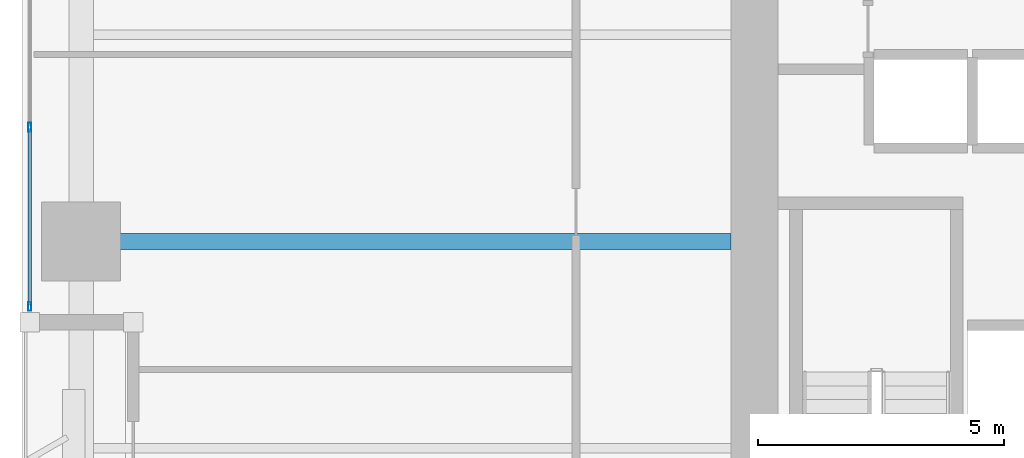
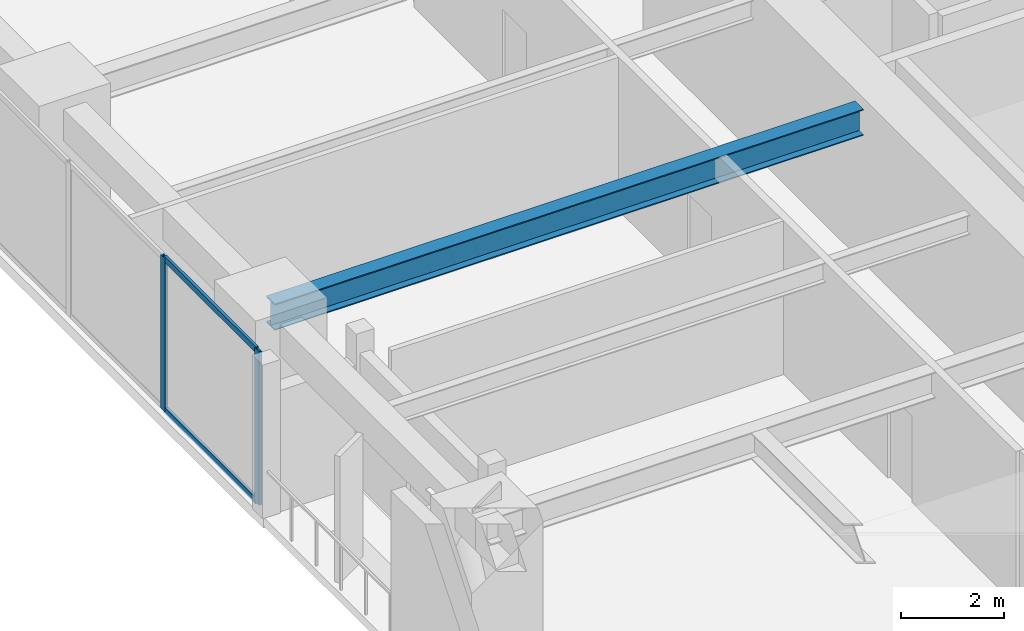
# One storey, part 2 of 24: 4 members, 1 beam, 1 element without a shape of its own.
"""IFC4 building model written with IfcOpenShell, lengths in metres."""

from ifc_helpers import new_model, si_unit, direction, frame, origin, origin_2d, place, context, subcontext, project, spatial, hollow_rectangle, i_section, extrude, material, layer, layer_set, material_profile, profile_set, type_object, element, aggregate, save


model = new_model("IFC4")

# Units and contexts
model_context = context("Model", 3, precision=1e-05, world=origin(), true_north=direction((0.0, 1.0)))
body_context = subcontext(model_context, "Body", "Model", "MODEL_VIEW")
ifc_project = project(units=[si_unit("LENGTHUNIT", "METRE"), si_unit("AREAUNIT", "SQUARE_METRE"), si_unit("VOLUMEUNIT", "CUBIC_METRE"), si_unit("PLANEANGLEUNIT", "RADIAN"), si_unit("MASSUNIT", "GRAM", prefix="KILO")], contexts=[model_context])

# Site, building, storey
site_placement = place(None, origin())
site = spatial("IfcSite", under=ifc_project, at=site_placement, CompositionType="ELEMENT")
building_placement = place(site_placement, origin())
building = spatial("IfcBuilding", under=site, at=building_placement, Name="Kiyonajd Concourse Tower", CompositionType="ELEMENT")
storey_placement = place(building_placement, frame((0.0, 0.0, 85.800048828125)))
storey = spatial("IfcBuildingStorey", under=building, at=storey_placement, Name="L22", CompositionType="ELEMENT", Elevation=85.800048828125)

# Beam
ifc_material_1 = material(Name="Steel ASTM A992 Grade 50", Category="steel")
ifc_material_profile_1 = material_profile(ifc_material_1, i_section(OverallWidth=0.326904296875, OverallDepth=0.6220703125, WebThickness=0.015380859375, FlangeThickness=0.0244140625, at=origin_2d()), Name="W610X195")
ifc_profile_set_1 = profile_set([ifc_material_profile_1], Name="Steel ASTM A992 Grade 50")
beam_type = type_object("IfcBeamType", Name="BM-TWR-610A", PredefinedType="BEAM", material=ifc_profile_set_1)
beam_placement = place(storey_placement, frame((19.199951171875, 36.0, 3.328857421875), z_axis=(1.0, 0.0, 0.0), x_axis=(0.0, 1.0, 0.0)))
element("IfcBeam", 1, at=beam_placement, inside=storey, type_object=beam_type, Name="L22 West Lease Girder", PredefinedType="BEAM", context=body_context, shape_type="SweptSolid", body=[
    extrude(i_section(OverallWidth=0.326904296875, OverallDepth=0.6220703125, WebThickness=0.015380859375, FlangeThickness=0.0244140625, at=origin_2d()), origin(), (0.0, 0.0, 1.0), 13.199951171875),
])

# Curtain wall, members
ifc_material_2 = material(Name="Thermally Broken Anodised Aluminium", Category="aluminium")
ifc_layer = layer(ifc_material_2, 0.179931640625)
ifc_layer_set = layer_set([ifc_layer], Name="Thermally Broken Anodised Aluminium")
curtain_wall_type = type_object("IfcCurtainWallType", Name="CW-SYS-03", PredefinedType="NOTDEFINED", material=ifc_layer_set)
curtain_wall_placement = place(storey_placement, origin())
curtain_wall = element("IfcCurtainWall", 2, at=curtain_wall_placement, inside=storey, type_object=curtain_wall_type, Name="L22 Unitised Curtain Wall CW3", PredefinedType="NOTDEFINED")
ifc_material_profile_2 = material_profile(ifc_material_2, hollow_rectangle(XDim=0.06494140625, YDim=0.179931640625, WallThickness=0.00390625, at=origin_2d()), Name="MULL-65x180")
ifc_profile_set_2 = profile_set([ifc_material_profile_2], Name="Thermally Broken Anodised Aluminium")
member_type_1 = type_object("IfcMemberType", Name="MB-CW-MULL1", PredefinedType="MULLION", material=ifc_profile_set_2)
member_1_placement = place(storey_placement, frame((18.159912109375, 34.6826171875, 0.0), z_axis=(0.0, 0.0, 1.0), x_axis=(-1.0, 0.0, 0.0)))
member_1 = element("IfcMember", 3, at=member_1_placement, type_object=member_type_1, Name="CW3 mullion 1", PredefinedType="MULLION", context=body_context, shape_type="SweptSolid", body=[
    extrude(hollow_rectangle(XDim=0.06494140625, YDim=0.179931640625, WallThickness=0.00390625, at=origin_2d()), origin(), (0.0, 0.0, 1.0), 3.639892578125),
])
member_2_placement = place(storey_placement, frame((18.159912109375, 38.3232421875, 0.0), z_axis=(0.0, 0.0, 1.0), x_axis=(-1.0, 0.0, 0.0)))
member_2 = element("IfcMember", 4, at=member_2_placement, type_object=member_type_1, Name="CW3 mullion 2", PredefinedType="MULLION", context=body_context, shape_type="SweptSolid", body=[
    extrude(hollow_rectangle(XDim=0.06494140625, YDim=0.179931640625, WallThickness=0.00390625, at=origin_2d()), origin(), (0.0, 0.0, 1.0), 3.639892578125),
])
ifc_material_profile_3 = material_profile(ifc_material_2, hollow_rectangle(XDim=0.06494140625, YDim=0.139892578125, WallThickness=0.00390625, at=origin_2d()), Name="TRAN-65x140")
ifc_profile_set_3 = profile_set([ifc_material_profile_3], Name="Thermally Broken Anodised Aluminium")
member_type_2 = type_object("IfcMemberType", Name="MB-CW-TRAN1", PredefinedType="USERDEFINED", material=ifc_profile_set_3)
member_3_placement = place(storey_placement, frame((18.159912109375, 34.715087890625, 0.032470703125), z_axis=(0.0, 1.0, 0.0), x_axis=(-1.0, 0.0, 0.0)))
member_3 = element("IfcMember", 5, at=member_3_placement, type_object=member_type_2, Name="CW3 transom 1.1", ObjectType="TRANSOM", PredefinedType="USERDEFINED", context=body_context, shape_type="SweptSolid", body=[
    extrude(hollow_rectangle(XDim=0.06494140625, YDim=0.139892578125, WallThickness=0.00390625, at=origin_2d()), origin(), (0.0, 0.0, 1.0), 3.57568359375),
])
member_4_placement = place(storey_placement, frame((18.159912109375, 34.715087890625, 3.607421875), z_axis=(0.0, 1.0, 0.0), x_axis=(-1.0, 0.0, 0.0)))
member_4 = element("IfcMember", 6, at=member_4_placement, type_object=member_type_2, Name="CW3 transom 1.2", ObjectType="TRANSOM", PredefinedType="USERDEFINED", context=body_context, shape_type="SweptSolid", body=[
    extrude(hollow_rectangle(XDim=0.06494140625, YDim=0.139892578125, WallThickness=0.00390625, at=origin_2d()), origin(), (0.0, 0.0, 1.0), 3.57568359375),
])
aggregate(curtain_wall, [member_1, member_2, member_3, member_4])

save(model, "model.ifc")
